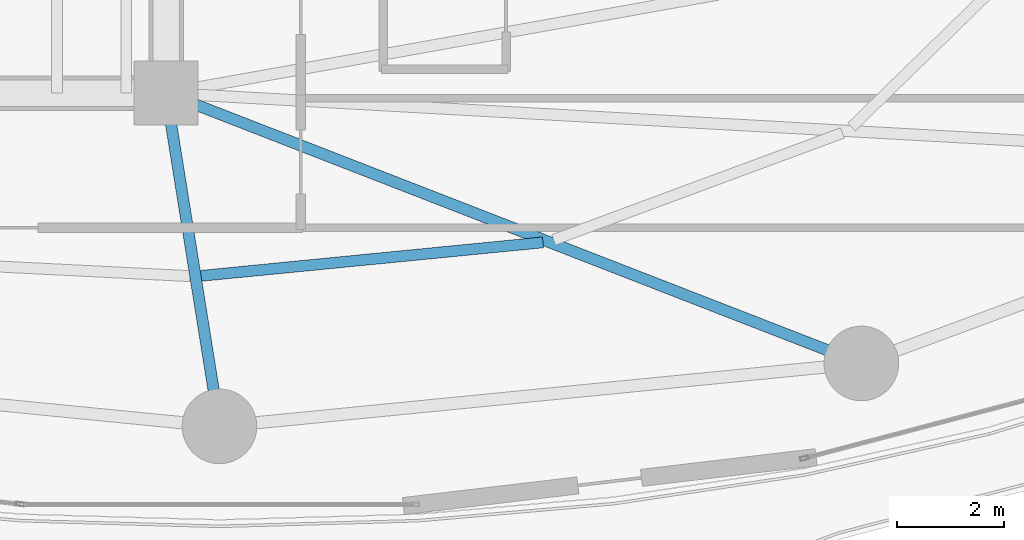
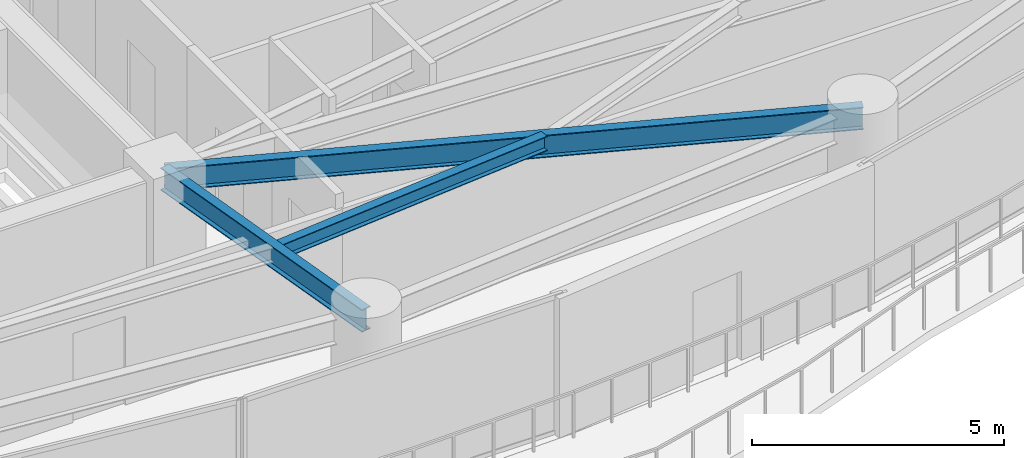
# One storey, part 11 of 32: 3 beams.
"""IFC4 building model written with IfcOpenShell, lengths in metres."""

from ifc_helpers import new_model, si_unit, direction, frame, origin, origin_2d, place, context, subcontext, project, spatial, i_section, extrude, material, material_profile, profile_set, type_object, element, save


model = new_model("IFC4")

# Units and contexts
model_context = context("Model", 3, precision=1e-05, world=origin(), true_north=direction((0.0, 1.0)))
body_context = subcontext(model_context, "Body", "Model", "MODEL_VIEW")
ifc_project = project(units=[si_unit("LENGTHUNIT", "METRE"), si_unit("AREAUNIT", "SQUARE_METRE"), si_unit("VOLUMEUNIT", "CUBIC_METRE"), si_unit("PLANEANGLEUNIT", "RADIAN"), si_unit("MASSUNIT", "GRAM", prefix="KILO")], contexts=[model_context])

# Site, building, storey
site_placement = place(None, origin())
site = spatial("IfcSite", under=ifc_project, at=site_placement, CompositionType="ELEMENT")
building_placement = place(site_placement, origin())
building = spatial("IfcBuilding", under=site, at=building_placement, Name="Kazevale Care Tower and Concert Hall", CompositionType="ELEMENT")
storey_placement = place(building_placement, frame((0.0, 0.0, 85.199951171875)))
storey = spatial("IfcBuildingStorey", under=building, at=storey_placement, Name="L22", CompositionType="ELEMENT", Elevation=85.199951171875)

# Beams
ifc_material = material(Name="Steel ASTM A572 Gr 50", Category="steel")
ifc_material_profile_1 = material_profile(ifc_material, i_section(OverallWidth=0.2119140625, OverallDepth=0.5439453125, WebThickness=0.01318359375, FlangeThickness=0.021240234375, at=origin_2d()), Name="W530x123")
ifc_profile_set_1 = profile_set([ifc_material_profile_1], Name="Steel ASTM A572 Gr 50")
beam_type_1 = type_object("IfcBeamType", Name="Radial Floor Girder W530x123", PredefinedType="BEAM", material=ifc_profile_set_1)
beam_1_placement = place(storey_placement, frame((44.0, 23.60009765625, 3.088134765625), z_axis=(0.157990501107, -0.987440631917, 0.0), x_axis=(0.987440631917, 0.157990501107, 0.0)))
element("IfcBeam", 1, at=beam_1_placement, inside=storey, type_object=beam_type_1, Name="beam:L22:rad:13", PredefinedType="BEAM", context=body_context, shape_type="SweptSolid", body=[
    extrude(i_section(OverallWidth=0.2119140625, OverallDepth=0.5439453125, WebThickness=0.01318359375, FlangeThickness=0.021240234375, at=origin_2d()), origin(), (0.0, 0.0, 1.0), 6.32958984375),
])
beam_2_placement = place(storey_placement, frame((44.0, 23.60009765625, 3.088134765625), z_axis=(0.932030212407, -0.362380577792, 0.0), x_axis=(0.362380577792, 0.932030212407, 0.0)))
element("IfcBeam", 2, at=beam_2_placement, inside=storey, type_object=beam_type_1, Name="beam:L22:rad:14", PredefinedType="BEAM", context=body_context, shape_type="SweptSolid", body=[
    extrude(i_section(OverallWidth=0.2119140625, OverallDepth=0.5439453125, WebThickness=0.01318359375, FlangeThickness=0.021240234375, at=origin_2d()), origin(), (0.0, 0.0, 1.0), 13.990966796875),
])
ifc_material_profile_2 = material_profile(ifc_material, i_section(OverallWidth=0.205078125, OverallDepth=0.35400390625, WebThickness=0.009521484375, FlangeThickness=0.016845703125, at=origin_2d()), Name="W360x79")
ifc_profile_set_2 = profile_set([ifc_material_profile_2], Name="Steel ASTM A572 Gr 50")
beam_type_2 = type_object("IfcBeamType", Name="Secondary Floor Joist W360x79", PredefinedType="JOIST", material=ifc_profile_set_2)
beam_3_placement = place(storey_placement, frame((44.654052734375, 20.173095703125, 3.18310546875), z_axis=(0.995242075791, 0.097433108212, 0.0), x_axis=(-0.097433108212, 0.995242075791, 0.0)))
element("IfcBeam", 3, at=beam_3_placement, inside=storey, type_object=beam_type_2, Name="beam:L22:joist:13", PredefinedType="JOIST", context=body_context, shape_type="SweptSolid", body=[
    extrude(i_section(OverallWidth=0.205078125, OverallDepth=0.35400390625, WebThickness=0.009521484375, FlangeThickness=0.016845703125, at=origin_2d()), origin(), (0.0, 0.0, 1.0), 6.44482421875),
])

save(model, "model.ifc")
